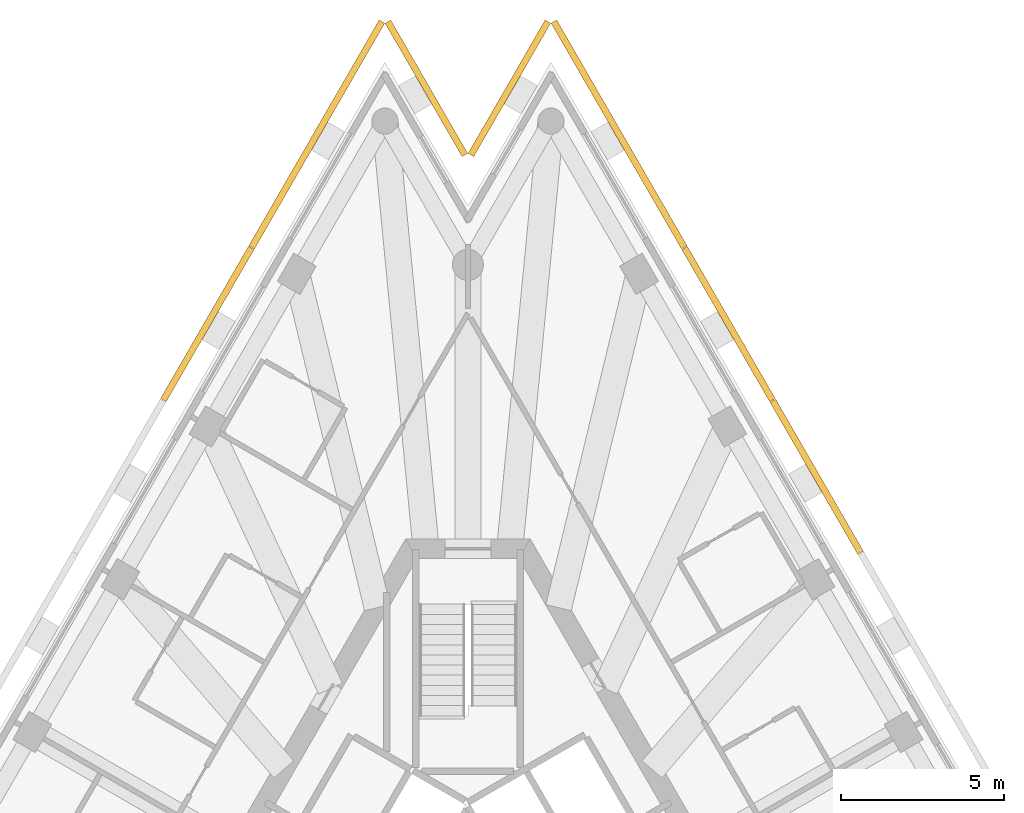
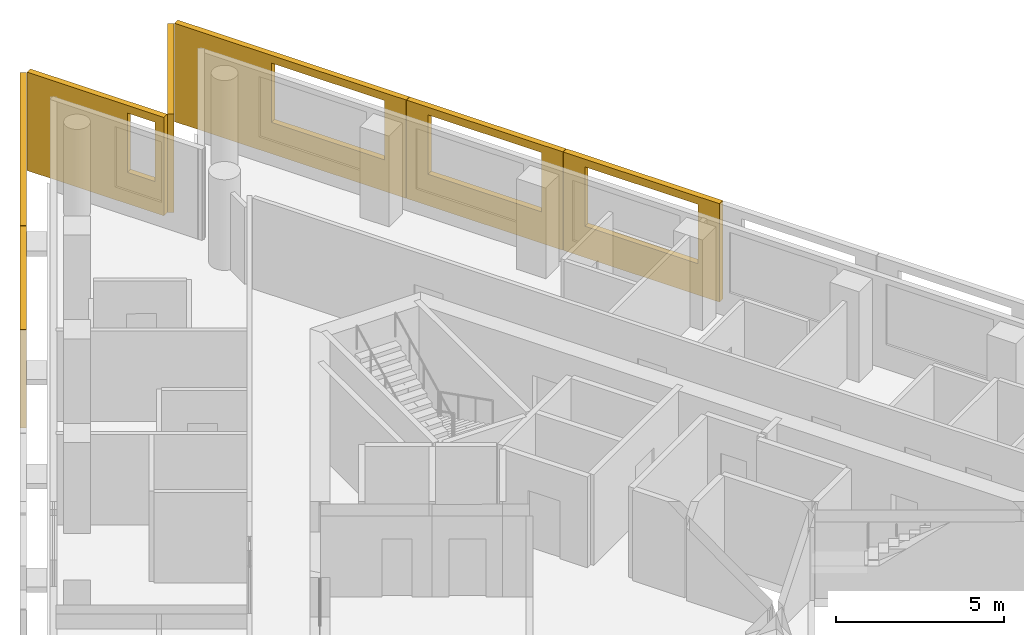
# One storey, part 10 of 10: 7 shading devices.
"""IFC4 building model written with IfcOpenShell, lengths in metres."""

from ifc_helpers import new_model, si_unit, direction, frame, origin, place, context, subcontext, project, spatial, polyline, outline, extrude, material, layer, layer_set, type_object, element, save


model = new_model("IFC4")

# Units and contexts
model_context = context("Model", 3, precision=1e-05, world=origin(), true_north=direction((0.0, 1.0)))
body_context = subcontext(model_context, "Body", "Model", "MODEL_VIEW")
ifc_project = project(units=[si_unit("LENGTHUNIT", "METRE"), si_unit("AREAUNIT", "SQUARE_METRE"), si_unit("VOLUMEUNIT", "CUBIC_METRE"), si_unit("PLANEANGLEUNIT", "RADIAN"), si_unit("MASSUNIT", "GRAM", prefix="KILO")], contexts=[model_context])

# Site, building, storey
site_placement = place(None, origin())
site = spatial("IfcSite", under=ifc_project, at=site_placement, CompositionType="ELEMENT")
building_placement = place(site_placement, origin())
building = spatial("IfcBuilding", under=site, at=building_placement, Name="Triada Interchange Tower", CompositionType="ELEMENT")
storey_placement = place(building_placement, frame((0.0, 0.0, 293.5)))
storey = spatial("IfcBuildingStorey", under=building, at=storey_placement, Name="L69", CompositionType="ELEMENT", Elevation=293.5)

# Shading devices
ifc_material = material(Name="Concrete C50/60 precast", Category="concrete")
ifc_layer_1 = layer(ifc_material, 0.02001953125, Name="Exposed aggregate face")
ifc_layer_2 = layer(ifc_material, 0.179931640625, Name="Precast concrete screen")
ifc_layer_set = layer_set([ifc_layer_1, ifc_layer_2], Name="Outer skin screen panel 3580")
shading_device_type = type_object("IfcShadingDeviceType", Name="Outer skin screen panel 3580", PredefinedType="SHUTTER", material=ifc_layer_set)
shading_device_1_placement = place(storey_placement, frame((-2.5439453125, 29.373046875, -0.2900390625), z_axis=(0.0, 0.0, 1.0), x_axis=(-0.50000256641, -0.866023922062, 0.0)))
element("IfcShadingDevice", 1, at=shading_device_1_placement, inside=storey, type_object=shading_device_type, Name="Outer skin screen panel L69 01", PredefinedType="SHUTTER", context=body_context, shape_type="SweptSolid", body=[
    extrude(outline(polyline([(0.0, 0.0), (7.97216796875, 0.0), (7.97216796875, 3.580078125), (0.0, 3.580078125), (0.0, 0.0)]), holes=[polyline([(3.335693359375, 1.139892578125), (3.335693359375, 3.300048828125), (7.235595703125, 3.300048828125), (7.235595703125, 1.139892578125), (3.335693359375, 1.139892578125)])]), frame((0.0, 0.0, 0.0), z_axis=(0.0, -1.0, 0.0), x_axis=(1.0, 0.0, 0.0)), (0.0, 0.0, 1.0), 0.199951171875),
])
shading_device_2_placement = place(storey_placement, frame((-6.5400390625, 22.451904296875, -0.2900390625), z_axis=(0.0, 0.0, 1.0), x_axis=(-0.500076296064, -0.86598134975, 0.0)))
element("IfcShadingDevice", 2, at=shading_device_2_placement, inside=storey, type_object=shading_device_type, Name="Outer skin screen panel L69 02", PredefinedType="SHUTTER", context=body_context, shape_type="SweptSolid", body=[
    extrude(outline(polyline([(0.0, 0.0), (5.375244140625, 0.0), (5.375244140625, 3.580078125), (0.0, 3.580078125), (0.0, 0.0)]), holes=[polyline([(0.737060546875, 1.139892578125), (0.737060546875, 3.300048828125), (4.636962890625, 3.300048828125), (4.636962890625, 1.139892578125), (0.737060546875, 1.139892578125)])]), frame((0.0, 0.0, 0.0), z_axis=(0.0, -1.0, 0.0), x_axis=(1.0, 0.0, 0.0)), (0.0, 0.0, 1.0), 0.199951171875),
])
shading_device_3_placement = place(storey_placement, frame((11.925048828125, 13.125, -0.2900390625), z_axis=(0.0, 0.0, 1.0), x_axis=(-0.499920363698, 0.866071376943, 0.0)))
element("IfcShadingDevice", 3, at=shading_device_3_placement, inside=storey, type_object=shading_device_type, Name="Outer skin screen panel L69 26", PredefinedType="SHUTTER", context=body_context, shape_type="SweptSolid", body=[
    extrude(outline(polyline([(0.0, 0.0), (5.375, 0.0), (5.375, 3.580078125), (0.0, 3.580078125), (0.0, 0.0)]), holes=[polyline([(0.73681640625, 1.139892578125), (0.73681640625, 3.300048828125), (4.63671875, 3.300048828125), (4.63671875, 1.139892578125), (0.73681640625, 1.139892578125)])]), frame((0.0, 0.0, 0.0), z_axis=(0.0, -1.0, 0.0), x_axis=(1.0, 0.0, 0.0)), (0.0, 0.0, 1.0), 0.199951171875),
])
shading_device_4_placement = place(storey_placement, frame((9.22802734375, 17.797119140625, -0.2900390625), z_axis=(0.0, 0.0, 1.0), x_axis=(-0.500076296064, 0.86598134975, 0.0)))
element("IfcShadingDevice", 4, at=shading_device_4_placement, inside=storey, type_object=shading_device_type, Name="Outer skin screen panel L69 27", PredefinedType="SHUTTER", context=body_context, shape_type="SweptSolid", body=[
    extrude(outline(polyline([(0.0, 0.0), (5.375244140625, 0.0), (5.375244140625, 3.580078125), (0.0, 3.580078125), (0.0, 0.0)]), holes=[polyline([(0.7373046875, 1.139892578125), (0.7373046875, 3.300048828125), (4.637451171875, 3.300048828125), (4.637451171875, 1.139892578125), (0.7373046875, 1.139892578125)])]), frame((0.0, 0.0, 0.0), z_axis=(0.0, -1.0, 0.0), x_axis=(1.0, 0.0, 0.0)), (0.0, 0.0, 1.0), 0.199951171875),
])
shading_device_5_placement = place(storey_placement, frame((6.530029296875, 22.468994140625, -0.2900390625), z_axis=(0.0, 0.0, 1.0), x_axis=(-0.50000256641, 0.866023922062, 0.0)))
element("IfcShadingDevice", 5, at=shading_device_5_placement, inside=storey, type_object=shading_device_type, Name="Outer skin screen panel L69 28", PredefinedType="SHUTTER", context=body_context, shape_type="SweptSolid", body=[
    extrude(outline(polyline([(0.0, 0.0), (7.97216796875, 0.0), (7.97216796875, 3.580078125), (0.0, 3.580078125), (0.0, 0.0)]), holes=[polyline([(0.73681640625, 1.139892578125), (0.73681640625, 3.300048828125), (4.636962890625, 3.300048828125), (4.636962890625, 1.139892578125), (0.73681640625, 1.139892578125)])]), frame((0.0, 0.0, 0.0), z_axis=(0.0, -1.0, 0.0), x_axis=(1.0, 0.0, 0.0)), (0.0, 0.0, 1.0), 0.199951171875),
])
shading_device_6_placement = place(storey_placement, frame((2.533935546875, 29.373046875, -0.2900390625), z_axis=(0.0, 0.0, 1.0), x_axis=(-0.499961643653, -0.866047547699, 0.0)))
element("IfcShadingDevice", 6, at=shading_device_6_placement, inside=storey, type_object=shading_device_type, Name="Outer skin screen panel L69 29", PredefinedType="SHUTTER", context=body_context, shape_type="SweptSolid", body=[
    extrude(outline(polyline([(0.0, 0.0), (4.712158203125, 0.0), (4.712158203125, 3.580078125), (0.0, 3.580078125), (0.0, 0.0)]), holes=[polyline([(3.17578125, 1.139892578125), (3.17578125, 3.300048828125), (4.41259765625, 3.300048828125), (4.41259765625, 1.139892578125), (3.17578125, 1.139892578125)])]), frame((0.0, 0.0, 0.0), z_axis=(0.0, -1.0, 0.0), x_axis=(1.0, 0.0, 0.0)), (0.0, 0.0, 1.0), 0.199951171875),
])
shading_device_7_placement = place(storey_placement, frame((-0.177978515625, 25.2919921875, -0.2900390625), z_axis=(0.0, 0.0, 1.0), x_axis=(-0.499961643653, 0.866047547699, 0.0)))
element("IfcShadingDevice", 7, at=shading_device_7_placement, inside=storey, type_object=shading_device_type, Name="Outer skin screen panel L69 30", PredefinedType="SHUTTER", context=body_context, shape_type="SweptSolid", body=[
    extrude(outline(polyline([(0.0, 0.0), (4.712158203125, 0.0), (4.712158203125, 3.580078125), (0.0, 3.580078125), (0.0, 0.0)]), holes=[polyline([(0.300048828125, 1.139892578125), (0.300048828125, 3.300048828125), (1.2578125, 3.300048828125), (1.2578125, 1.139892578125), (0.300048828125, 1.139892578125)])]), frame((0.0, 0.0, 0.0), z_axis=(0.0, -1.0, 0.0), x_axis=(1.0, 0.0, 0.0)), (0.0, 0.0, 1.0), 0.199951171875),
])

save(model, "model.ifc")
